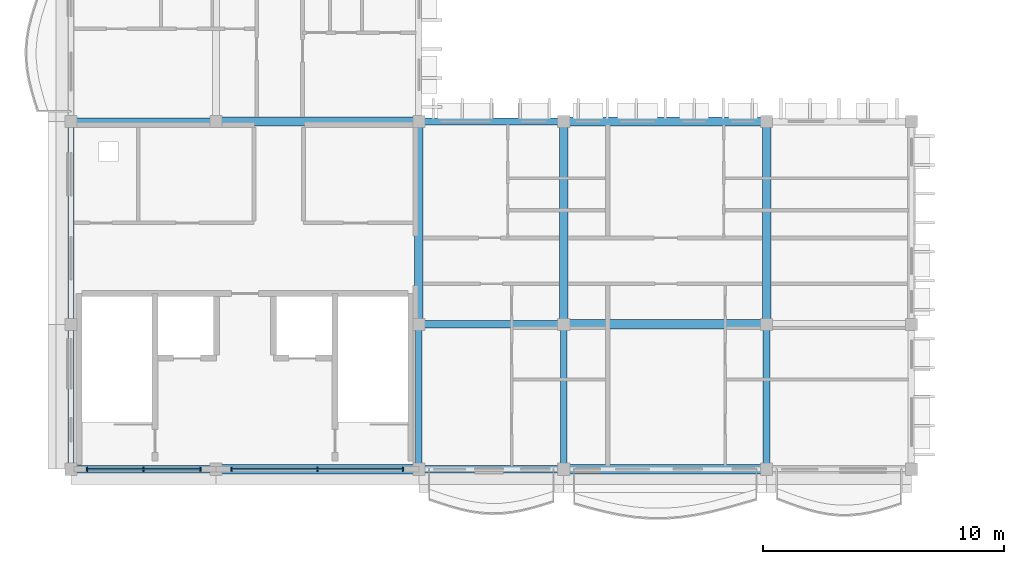
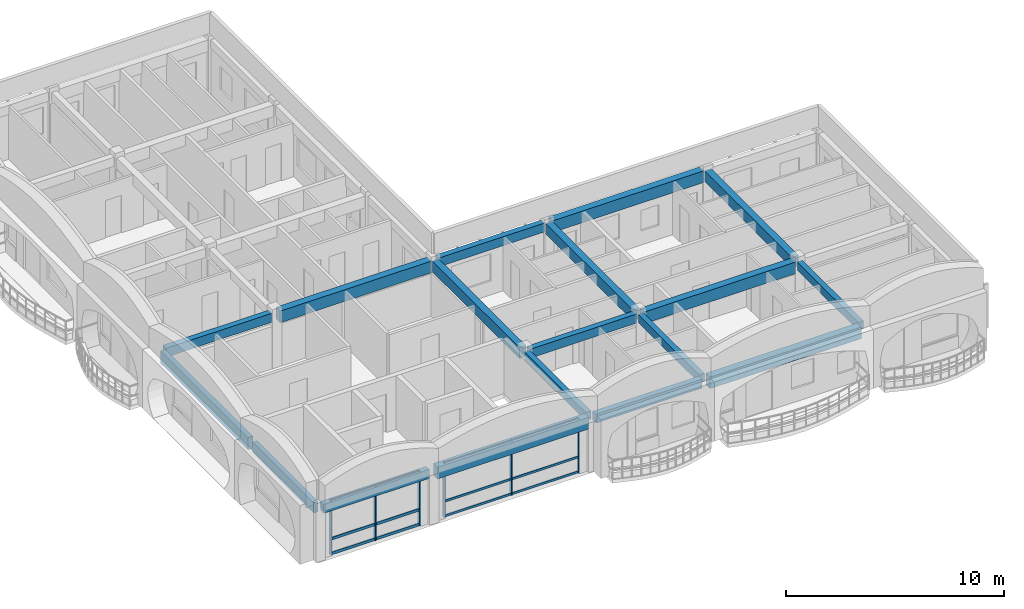
# One storey, part 3 of 45: 18 beams, 12 members, 2 elements without a shape of their own.
"""IFC4 building model written with IfcOpenShell, lengths in metres."""

from ifc_helpers import new_model, si_unit, direction, frame, origin, origin_2d, place, context, subcontext, project, spatial, rectangle, extrude, material, material_profile, profile_set, type_object, element, aggregate, save


model = new_model("IFC4")

# Units and contexts
model_context = context("Model", 3, precision=1e-05, world=origin(), true_north=direction((0.0, 1.0)))
body_context = subcontext(model_context, "Body", "Model", "MODEL_VIEW")
ifc_project = project(units=[si_unit("LENGTHUNIT", "METRE"), si_unit("AREAUNIT", "SQUARE_METRE"), si_unit("VOLUMEUNIT", "CUBIC_METRE"), si_unit("PLANEANGLEUNIT", "RADIAN"), si_unit("MASSUNIT", "GRAM", prefix="KILO"), si_unit("THERMODYNAMICTEMPERATUREUNIT", "KELVIN")], contexts=[model_context])

# Site, building, storey
site_placement = place(None, origin())
site = spatial("IfcSite", under=ifc_project, at=site_placement, CompositionType="ELEMENT")
building_placement = place(site_placement, origin())
building = spatial("IfcBuilding", under=site, at=building_placement, Name="Thalorik Housing Commons", CompositionType="ELEMENT")
storey_placement = place(building_placement, frame((0.0, 0.0, 34.5)))
storey = spatial("IfcBuildingStorey", under=building, at=storey_placement, Name="L10", CompositionType="ELEMENT", Elevation=34.5)

# Curtain wall, members
ifc_material_1 = material(Name="Anodised aluminium and solar-control low-E glass", Category="aluminium")
curtain_wall_type = type_object("IfcCurtainWallType", Name="ARC-CW-CORE", PredefinedType="USERDEFINED", material=ifc_material_1)
curtain_wall_1_placement = place(storey_placement, origin())
curtain_wall_1 = element("IfcCurtainWall", 1, at=curtain_wall_1_placement, inside=storey, type_object=curtain_wall_type, Name="L10 Curtain Wall CW-CORE-L10-C-172", ObjectType="CURTAIN WALL", PredefinedType="USERDEFINED")
ifc_material_2 = material(Name="Anodised aluminium 6063-T6", Category="aluminium")
ifc_material_profile_1 = material_profile(ifc_material_2, rectangle(XDim=0.06005859375, YDim=0.159912109375, at=origin_2d()), Name="ALU MUL 60x160", Category="aluminium")
ifc_profile_set_1 = profile_set([ifc_material_profile_1], Name="Anodised aluminium 6063-T6")
member_type_1 = type_object("IfcMemberType", Name="ARC-CW-MUL-60x160", PredefinedType="MULLION", material=ifc_profile_set_1)
member_1_placement = place(storey_placement, frame((15.050048828125, 8.39990234375, 0.0), z_axis=(0.0, 0.0, 1.0), x_axis=(1.0, 0.0, 0.0)))
member_1 = element("IfcMember", 2, at=member_1_placement, type_object=member_type_1, Name="CW-CORE-L10-C-172 Mullion 1", PredefinedType="MULLION", context=body_context, shape_type="SweptSolid", body=[
    extrude(rectangle(XDim=0.06005859375, YDim=0.159912109375, at=origin_2d()), origin(), (0.0, 0.0, 1.0), 3.0400390625),
])
member_2_placement = place(storey_placement, frame((18.60009765625, 8.39990234375, 0.0), z_axis=(0.0, 0.0, 1.0), x_axis=(1.0, 0.0, 0.0)))
member_2 = element("IfcMember", 3, at=member_2_placement, type_object=member_type_1, Name="CW-CORE-L10-C-172 Mullion 2", PredefinedType="MULLION", context=body_context, shape_type="SweptSolid", body=[
    extrude(rectangle(XDim=0.06005859375, YDim=0.159912109375, at=origin_2d()), origin(), (0.0, 0.0, 1.0), 3.0400390625),
])
member_3_placement = place(storey_placement, frame((22.14990234375, 8.39990234375, 0.0), z_axis=(0.0, 0.0, 1.0), x_axis=(1.0, 0.0, 0.0)))
member_3 = element("IfcMember", 4, at=member_3_placement, type_object=member_type_1, Name="CW-CORE-L10-C-172 Mullion 3", PredefinedType="MULLION", context=body_context, shape_type="SweptSolid", body=[
    extrude(rectangle(XDim=0.06005859375, YDim=0.159912109375, at=origin_2d()), origin(), (0.0, 0.0, 1.0), 3.0400390625),
])

curtain_wall_2_placement = place(storey_placement, origin())
curtain_wall_2 = element("IfcCurtainWall", 5, at=curtain_wall_2_placement, inside=storey, type_object=curtain_wall_type, Name="L10 Curtain Wall CW-CORE-L10-C-171", ObjectType="CURTAIN WALL", PredefinedType="USERDEFINED")
ifc_material_profile_2 = material_profile(ifc_material_2, rectangle(XDim=0.06494140625, YDim=0.179931640625, at=origin_2d()), Name="ALU MUL 65x180", Category="aluminium")
ifc_profile_set_2 = profile_set([ifc_material_profile_2], Name="Anodised aluminium 6063-T6")
member_type_2 = type_object("IfcMemberType", Name="ARC-CW-MUL-65x180", PredefinedType="MULLION", material=ifc_profile_set_2)
member_4_placement = place(storey_placement, frame((9.050048828125, 8.39990234375, 0.0), z_axis=(0.0, 0.0, 1.0), x_axis=(1.0, 0.0, 0.0)))
member_4 = element("IfcMember", 6, at=member_4_placement, type_object=member_type_2, Name="CW-CORE-L10-C-171 Mullion 1", PredefinedType="MULLION", context=body_context, shape_type="SweptSolid", body=[
    extrude(rectangle(XDim=0.06494140625, YDim=0.179931640625, at=origin_2d()), origin(), (0.0, 0.0, 1.0), 3.0400390625),
])
member_5_placement = place(storey_placement, frame((11.39990234375, 8.39990234375, 0.0), z_axis=(0.0, 0.0, 1.0), x_axis=(1.0, 0.0, 0.0)))
member_5 = element("IfcMember", 7, at=member_5_placement, type_object=member_type_2, Name="CW-CORE-L10-C-171 Mullion 2", PredefinedType="MULLION", context=body_context, shape_type="SweptSolid", body=[
    extrude(rectangle(XDim=0.06494140625, YDim=0.179931640625, at=origin_2d()), origin(), (0.0, 0.0, 1.0), 3.0400390625),
])
member_6_placement = place(storey_placement, frame((13.75, 8.39990234375, 0.0), z_axis=(0.0, 0.0, 1.0), x_axis=(1.0, 0.0, 0.0)))
member_6 = element("IfcMember", 8, at=member_6_placement, type_object=member_type_2, Name="CW-CORE-L10-C-171 Mullion 3", PredefinedType="MULLION", context=body_context, shape_type="SweptSolid", body=[
    extrude(rectangle(XDim=0.06494140625, YDim=0.179931640625, at=origin_2d()), origin(), (0.0, 0.0, 1.0), 3.0400390625),
])

# Member
ifc_material_profile_3 = material_profile(ifc_material_2, rectangle(XDim=0.06005859375, YDim=0.1201171875, at=origin_2d()), Name="ALU TRN 60x120", Category="aluminium")
ifc_profile_set_3 = profile_set([ifc_material_profile_3], Name="Anodised aluminium 6063-T6")
member_type_3 = type_object("IfcMemberType", Name="ARC-CW-TRN-60x120", PredefinedType="USERDEFINED", material=ifc_profile_set_3)
member_7_placement = place(storey_placement, frame((15.050048828125, 8.39990234375, 0.054931640625), z_axis=(1.0, 0.0, 0.0), x_axis=(0.0, 1.0, 0.0)))
member_7 = element("IfcMember", 9, at=member_7_placement, type_object=member_type_3, Name="CW-CORE-L10-C-172 Transom 1", ObjectType="TRANSOM", PredefinedType="USERDEFINED", context=body_context, shape_type="SweptSolid", body=[
    extrude(rectangle(XDim=0.06005859375, YDim=0.1201171875, at=origin_2d()), origin(), (0.0, 0.0, 1.0), 7.099853515625),
])

member_8_placement = place(storey_placement, frame((15.050048828125, 8.39990234375, 0.8798828125), z_axis=(1.0, 0.0, 0.0), x_axis=(0.0, 1.0, 0.0)))
member_8 = element("IfcMember", 10, at=member_8_placement, type_object=member_type_3, Name="CW-CORE-L10-C-172 Transom 2", ObjectType="TRANSOM", PredefinedType="USERDEFINED", context=body_context, shape_type="SweptSolid", body=[
    extrude(rectangle(XDim=0.06005859375, YDim=0.1201171875, at=origin_2d()), origin(), (0.0, 0.0, 1.0), 7.099853515625),
])

member_9_placement = place(storey_placement, frame((15.050048828125, 8.39990234375, 2.985107421875), z_axis=(1.0, 0.0, 0.0), x_axis=(0.0, 1.0, 0.0)))
member_9 = element("IfcMember", 11, at=member_9_placement, type_object=member_type_3, Name="CW-CORE-L10-C-172 Transom 3", ObjectType="TRANSOM", PredefinedType="USERDEFINED", context=body_context, shape_type="SweptSolid", body=[
    extrude(rectangle(XDim=0.06005859375, YDim=0.1201171875, at=origin_2d()), origin(), (0.0, 0.0, 1.0), 7.099853515625),
])

aggregate(curtain_wall_1, [member_1, member_2, member_3, member_7, member_8, member_9])

ifc_material_profile_4 = material_profile(ifc_material_2, rectangle(XDim=0.06494140625, YDim=0.14990234375, at=origin_2d()), Name="ALU TRN 65x150", Category="aluminium")
ifc_profile_set_4 = profile_set([ifc_material_profile_4], Name="Anodised aluminium 6063-T6")
member_type_4 = type_object("IfcMemberType", Name="ARC-CW-TRN-65x150", PredefinedType="USERDEFINED", material=ifc_profile_set_4)
member_10_placement = place(storey_placement, frame((9.050048828125, 8.39990234375, 0.054931640625), z_axis=(1.0, 0.0, 0.0), x_axis=(0.0, 1.0, 0.0)))
member_10 = element("IfcMember", 12, at=member_10_placement, type_object=member_type_4, Name="CW-CORE-L10-C-171 Transom 1", ObjectType="TRANSOM", PredefinedType="USERDEFINED", context=body_context, shape_type="SweptSolid", body=[
    extrude(rectangle(XDim=0.06494140625, YDim=0.14990234375, at=origin_2d()), origin(), (0.0, 0.0, 1.0), 4.699951171875),
])

member_11_placement = place(storey_placement, frame((9.050048828125, 8.39990234375, 0.8798828125), z_axis=(1.0, 0.0, 0.0), x_axis=(0.0, 1.0, 0.0)))
member_11 = element("IfcMember", 13, at=member_11_placement, type_object=member_type_4, Name="CW-CORE-L10-C-171 Transom 2", ObjectType="TRANSOM", PredefinedType="USERDEFINED", context=body_context, shape_type="SweptSolid", body=[
    extrude(rectangle(XDim=0.06494140625, YDim=0.14990234375, at=origin_2d()), origin(), (0.0, 0.0, 1.0), 4.699951171875),
])

member_12_placement = place(storey_placement, frame((9.050048828125, 8.39990234375, 2.985107421875), z_axis=(1.0, 0.0, 0.0), x_axis=(0.0, 1.0, 0.0)))
member_12 = element("IfcMember", 14, at=member_12_placement, type_object=member_type_4, Name="CW-CORE-L10-C-171 Transom 3", ObjectType="TRANSOM", PredefinedType="USERDEFINED", context=body_context, shape_type="SweptSolid", body=[
    extrude(rectangle(XDim=0.06494140625, YDim=0.14990234375, at=origin_2d()), origin(), (0.0, 0.0, 1.0), 4.699951171875),
])

aggregate(curtain_wall_2, [member_4, member_5, member_6, member_10, member_11, member_12])

# Beams
ifc_material_3 = material(Name="Precast concrete C40/50", Category="concrete")
ifc_material_profile_5 = material_profile(ifc_material_3, rectangle(XDim=0.280029296875, YDim=0.449951171875, at=origin_2d()), Name="PC 280x450", Category="concrete")
ifc_profile_set_5 = profile_set([ifc_material_profile_5], Name="Precast concrete C40/50")
beam_type_1 = type_object("IfcBeamType", Name="STR-BM-PC280x450", PredefinedType="BEAM", material=ifc_profile_set_5)
for number, where, z_axis, x_axis, name in (
    (15, (22.800048828125, 8.60009765625, 2.81494140625), (0.0, 1.0, 0.0), (-1.0, 0.0, 0.0), "L10 Beam B-450"),
    (16, (28.800048828125, 8.60009765625, 2.81494140625), (0.0, 1.0, 0.0), (-1.0, 0.0, 0.0), "L10 Beam B-450"),
    (17, (37.199951171875, 8.60009765625, 2.81494140625), (0.0, 1.0, 0.0), (-1.0, 0.0, 0.0), "L10 Beam B-450"),
):
    element("IfcBeam", number, at=place(storey_placement, frame(where, z_axis=z_axis, x_axis=x_axis)), inside=storey, type_object=beam_type_1, Name=name, PredefinedType="BEAM", context=body_context, shape_type="SweptSolid", body=[
        extrude(rectangle(XDim=0.280029296875, YDim=0.449951171875, at=origin_2d()), origin(), (0.0, 0.0, 1.0), 5.599853515625),
    ])
ifc_material_profile_6 = material_profile(ifc_material_3, rectangle(XDim=0.300048828125, YDim=0.5, at=origin_2d()), Name="PC 300x500", Category="concrete")
ifc_profile_set_6 = profile_set([ifc_material_profile_6], Name="Precast concrete C40/50")
beam_type_2 = type_object("IfcBeamType", Name="STR-BM-PC300x500", PredefinedType="BEAM", material=ifc_profile_set_6)
beam_1_placement = place(storey_placement, frame((8.60009765625, 8.39990234375, 2.7900390625), z_axis=(1.0, 0.0, 0.0), x_axis=(0.0, 1.0, 0.0)))
element("IfcBeam", 18, at=beam_1_placement, inside=storey, type_object=beam_type_2, Name="L10 Beam B-500", PredefinedType="BEAM", context=body_context, shape_type="SweptSolid", body=[
    extrude(rectangle(XDim=0.300048828125, YDim=0.5, at=origin_2d()), origin(), (0.0, 0.0, 1.0), 5.599853515625),
])
for number, where, z_axis, x_axis, name in (
    (19, (23.0, 8.39990234375, 2.7900390625), (1.0, 0.0, 0.0), (0.0, 1.0, 0.0), "L10 Beam B-500"),
    (20, (23.0, 14.39990234375, 2.7900390625), (1.0, 0.0, 0.0), (0.0, 1.0, 0.0), "L10 Beam B-500"),
):
    element("IfcBeam", number, at=place(storey_placement, frame(where, z_axis=z_axis, x_axis=x_axis)), inside=storey, type_object=beam_type_2, Name=name, PredefinedType="BEAM", context=body_context, shape_type="SweptSolid", body=[
        extrude(rectangle(XDim=0.300048828125, YDim=0.5, at=origin_2d()), origin(), (0.0, 0.0, 1.0), 5.60009765625),
    ])
beam_2_placement = place(storey_placement, frame((8.60009765625, 22.800048828125, 2.7900390625), z_axis=(1.0, 0.0, 0.0), x_axis=(0.0, 1.0, 0.0)))
element("IfcBeam", 21, at=beam_2_placement, inside=storey, type_object=beam_type_2, Name="L10 Beam B-500", PredefinedType="BEAM", context=body_context, shape_type="SweptSolid", body=[
    extrude(rectangle(XDim=0.300048828125, YDim=0.5, at=origin_2d()), origin(), (0.0, 0.0, 1.0), 5.599853515625),
])
beam_3_placement = place(storey_placement, frame((23.0, 22.800048828125, 2.7900390625), z_axis=(1.0, 0.0, 0.0), x_axis=(0.0, 1.0, 0.0)))
element("IfcBeam", 22, at=beam_3_placement, inside=storey, type_object=beam_type_2, Name="L10 Beam B-500", PredefinedType="BEAM", context=body_context, shape_type="SweptSolid", body=[
    extrude(rectangle(XDim=0.300048828125, YDim=0.5, at=origin_2d()), origin(), (0.0, 0.0, 1.0), 5.60009765625),
])
ifc_material_profile_7 = material_profile(ifc_material_3, rectangle(XDim=0.35009765625, YDim=0.60009765625, at=origin_2d()), Name="PC 350x600", Category="concrete")
ifc_profile_set_7 = profile_set([ifc_material_profile_7], Name="Precast concrete C40/50")
beam_type_3 = type_object("IfcBeamType", Name="STR-BM-PC350x600", PredefinedType="BEAM", material=ifc_profile_set_7)
for number, where, z_axis, x_axis, name in (
    (23, (22.800048828125, 14.60009765625, 2.739990234375), (0.0, 1.0, 0.0), (-1.0, 0.0, 0.0), "L10 Beam B-600"),
    (24, (28.800048828125, 14.60009765625, 2.739990234375), (0.0, 1.0, 0.0), (-1.0, 0.0, 0.0), "L10 Beam B-600"),
    (25, (37.199951171875, 14.60009765625, 2.739990234375), (0.0, 1.0, 0.0), (-1.0, 0.0, 0.0), "L10 Beam B-600"),
):
    element("IfcBeam", number, at=place(storey_placement, frame(where, z_axis=z_axis, x_axis=x_axis)), inside=storey, type_object=beam_type_3, Name=name, PredefinedType="BEAM", context=body_context, shape_type="SweptSolid", body=[
        extrude(rectangle(XDim=0.35009765625, YDim=0.60009765625, at=origin_2d()), origin(), (0.0, 0.0, 1.0), 8.0),
    ])
ifc_material_profile_8 = material_profile(ifc_material_3, rectangle(XDim=0.3798828125, YDim=0.64990234375, at=origin_2d()), Name="PC 380x650", Category="concrete")
ifc_profile_set_8 = profile_set([ifc_material_profile_8], Name="Precast concrete C40/50")
beam_type_4 = type_object("IfcBeamType", Name="STR-BM-PC380x650", PredefinedType="BEAM", material=ifc_profile_set_8)
for number, where, z_axis, x_axis, name in (
    (26, (14.60009765625, 8.39990234375, 2.715087890625), (1.0, 0.0, 0.0), (0.0, 1.0, 0.0), "L10 Beam B-650"),
    (27, (29.0, 8.39990234375, 2.715087890625), (1.0, 0.0, 0.0), (0.0, 1.0, 0.0), "L10 Beam B-650"),
    (28, (29.0, 14.39990234375, 2.715087890625), (1.0, 0.0, 0.0), (0.0, 1.0, 0.0), "L10 Beam B-650"),
    (29, (14.60009765625, 22.800048828125, 2.715087890625), (1.0, 0.0, 0.0), (0.0, 1.0, 0.0), "L10 Beam B-650"),
    (30, (29.0, 22.800048828125, 2.715087890625), (1.0, 0.0, 0.0), (0.0, 1.0, 0.0), "L10 Beam B-650"),
):
    element("IfcBeam", number, at=place(storey_placement, frame(where, z_axis=z_axis, x_axis=x_axis)), inside=storey, type_object=beam_type_4, Name=name, PredefinedType="BEAM", context=body_context, shape_type="SweptSolid", body=[
        extrude(rectangle(XDim=0.3798828125, YDim=0.64990234375, at=origin_2d()), origin(), (0.0, 0.0, 1.0), 8.0),
    ])
ifc_material_profile_9 = material_profile(ifc_material_3, rectangle(XDim=0.239990234375, YDim=0.580078125, at=origin_2d()), Name="PC SP 240x580", Category="concrete")
ifc_profile_set_9 = profile_set([ifc_material_profile_9], Name="Precast concrete C40/50")
beam_type_5 = type_object("IfcBeamType", Name="STR-SP-PC240x580", PredefinedType="SPANDREL", material=ifc_profile_set_9)
beam_4_placement = place(storey_placement, frame((8.39990234375, 8.60009765625, 2.75), z_axis=(0.0, 1.0, 0.0), x_axis=(-1.0, 0.0, 0.0)))
element("IfcBeam", 31, at=beam_4_placement, inside=storey, type_object=beam_type_5, Name="L10 Beam B-450", PredefinedType="SPANDREL", context=body_context, shape_type="SweptSolid", body=[
    extrude(rectangle(XDim=0.239990234375, YDim=0.580078125, at=origin_2d()), origin(), (0.0, 0.0, 1.0), 5.599853515625),
])
ifc_material_profile_10 = material_profile(ifc_material_3, rectangle(XDim=0.260009765625, YDim=0.679931640625, at=origin_2d()), Name="PC SP 260x680", Category="concrete")
ifc_profile_set_10 = profile_set([ifc_material_profile_10], Name="Precast concrete C40/50")
beam_type_6 = type_object("IfcBeamType", Name="STR-SP-PC260x680", PredefinedType="SPANDREL", material=ifc_profile_set_10)
beam_5_placement = place(storey_placement, frame((8.39990234375, 14.60009765625, 2.699951171875), z_axis=(0.0, 1.0, 0.0), x_axis=(-1.0, 0.0, 0.0)))
element("IfcBeam", 32, at=beam_5_placement, inside=storey, type_object=beam_type_6, Name="L10 Beam B-600", PredefinedType="SPANDREL", context=body_context, shape_type="SweptSolid", body=[
    extrude(rectangle(XDim=0.260009765625, YDim=0.679931640625, at=origin_2d()), origin(), (0.0, 0.0, 1.0), 8.0),
])

save(model, "model.ifc")
